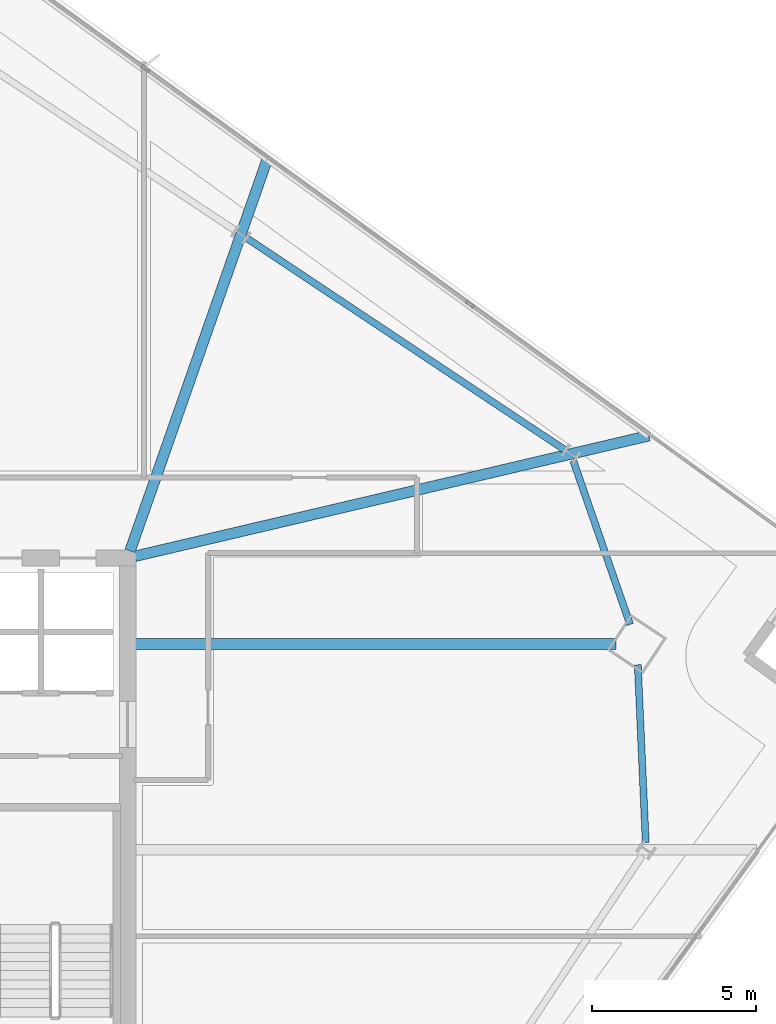
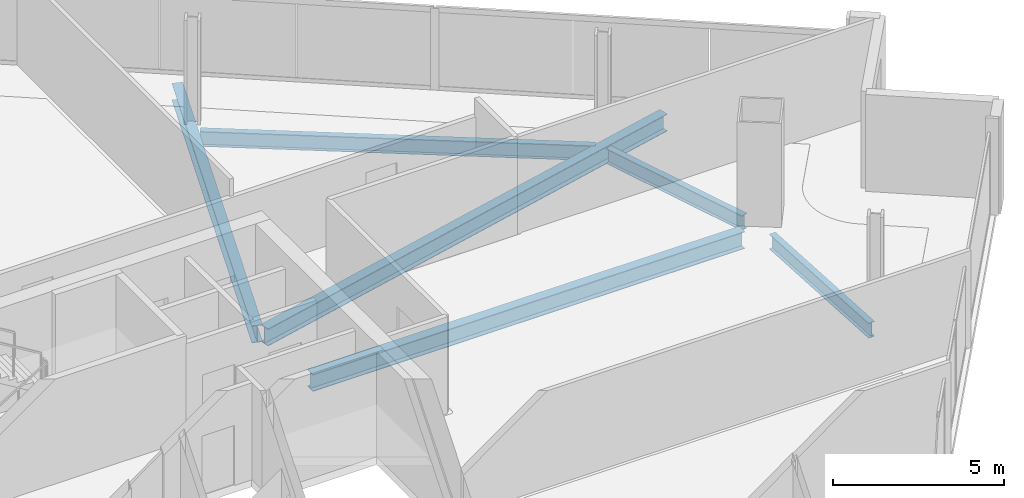
# One storey, part 16 of 29: 6 beams.
"""IFC4 building model written with IfcOpenShell, lengths in metres."""

from ifc_helpers import new_model, si_unit, direction, frame, origin, origin_2d, place, context, subcontext, project, spatial, i_section, extrude, material, material_profile, profile_set, type_object, element, save


model = new_model("IFC4")

# Units and contexts
model_context = context("Model", 3, precision=1e-05, world=origin(), true_north=direction((0.0, 1.0)))
body_context = subcontext(model_context, "Body", "Model", "MODEL_VIEW")
ifc_project = project(units=[si_unit("LENGTHUNIT", "METRE"), si_unit("AREAUNIT", "SQUARE_METRE"), si_unit("VOLUMEUNIT", "CUBIC_METRE"), si_unit("PLANEANGLEUNIT", "RADIAN"), si_unit("MASSUNIT", "GRAM", prefix="KILO")], contexts=[model_context])

# Site, building, storey
site_placement = place(None, origin())
site = spatial("IfcSite", under=ifc_project, at=site_placement, CompositionType="ELEMENT")
building_placement = place(site_placement, origin())
building = spatial("IfcBuilding", under=site, at=building_placement, Name="Haldenkirk Collegiate Tower", CompositionType="ELEMENT")
storey_placement = place(building_placement, frame((0.0, 0.0, 209.699951171875)))
storey = spatial("IfcBuildingStorey", under=building, at=storey_placement, Name="L52", CompositionType="ELEMENT", Elevation=209.699951171875)

# Beams
ifc_material = material(Name="Steel ASTM A992 Grade 50", Category="steel")
ifc_material_profile_1 = material_profile(ifc_material, i_section(OverallWidth=0.324951171875, OverallDepth=0.615966796875, WebThickness=0.013916015625, FlangeThickness=0.021484375, at=origin_2d()), Name="W24X117")
ifc_profile_set_1 = profile_set([ifc_material_profile_1], Name="Steel ASTM A992 Grade 50")
beam_type_1 = type_object("IfcBeamType", Name="BM-GIRDER-W24X117", PredefinedType="BEAM", material=ifc_profile_set_1)
beam_1_placement = place(storey_placement, frame((59.856201171875, 31.3837890625, -0.587890625), z_axis=(-1.0, 0.0, 0.0), x_axis=(0.0, -1.0, 0.0)))
element("IfcBeam", 1, at=beam_1_placement, inside=storey, type_object=beam_type_1, Name="L52 primary floor girder 02", PredefinedType="BEAM", context=body_context, shape_type="SweptSolid", body=[
    extrude(i_section(OverallWidth=0.324951171875, OverallDepth=0.615966796875, WebThickness=0.013916015625, FlangeThickness=0.021484375, at=origin_2d()), origin(), (0.0, 0.0, 1.0), 14.626220703125),
])
beam_2_placement = place(storey_placement, frame((60.85498046875, 37.720703125, -0.587890625), z_axis=(-0.973551608981, -0.228467206949, 0.0), x_axis=(0.228467206949, -0.973551608981, 0.0)))
element("IfcBeam", 2, at=beam_2_placement, inside=storey, type_object=beam_type_1, Name="L52 primary floor girder 08", PredefinedType="BEAM", context=body_context, shape_type="SweptSolid", body=[
    extrude(i_section(OverallWidth=0.324951171875, OverallDepth=0.615966796875, WebThickness=0.013916015625, FlangeThickness=0.021484375, at=origin_2d()), origin(), (0.0, 0.0, 1.0), 16.0556640625),
])
beam_3_placement = place(storey_placement, frame((49.2509765625, 46.135986328125, -0.587890625), z_axis=(-0.3305915221, -0.943773937718, 0.0), x_axis=(0.943773937718, -0.3305915221, 0.0)))
element("IfcBeam", 3, at=beam_3_placement, inside=storey, type_object=beam_type_1, Name="L52 primary floor girder 09", PredefinedType="BEAM", context=body_context, shape_type="SweptSolid", body=[
    extrude(i_section(OverallWidth=0.324951171875, OverallDepth=0.615966796875, WebThickness=0.013916015625, FlangeThickness=0.021484375, at=origin_2d()), origin(), (0.0, 0.0, 1.0), 12.62890625),
])
ifc_material_profile_2 = material_profile(ifc_material, i_section(OverallWidth=0.2099609375, OverallDepth=0.537109375, WebThickness=0.010986328125, FlangeThickness=0.017333984375, at=origin_2d()), Name="W21X68")
ifc_profile_set_2 = profile_set([ifc_material_profile_2], Name="Steel ASTM A992 Grade 50")
beam_type_2 = type_object("IfcBeamType", Name="BM-SPANDREL-W21X68", PredefinedType="SPANDREL", material=ifc_profile_set_2)
beam_4_placement = place(storey_placement, frame((60.756103515625, 25.34326171875, -0.54833984375), z_axis=(-0.044622535616, 0.999003918569, 0.0), x_axis=(-0.999003918569, -0.044622535616, 0.0)))
element("IfcBeam", 4, at=beam_4_placement, inside=storey, type_object=beam_type_2, Name="L52 perimeter spandrel beam 04", PredefinedType="SPANDREL", context=body_context, shape_type="SweptSolid", body=[
    extrude(i_section(OverallWidth=0.2099609375, OverallDepth=0.537109375, WebThickness=0.010986328125, FlangeThickness=0.017333984375, at=origin_2d()), origin(), (0.0, 0.0, 1.0), 5.41650390625),
])
beam_5_placement = place(storey_placement, frame((60.27978515625, 31.97900390625, -0.54833984375), z_axis=(-0.327807295579, 0.944744609387, 0.0), x_axis=(-0.944744609387, -0.327807295579, 0.0)))
element("IfcBeam", 5, at=beam_5_placement, inside=storey, type_object=beam_type_2, Name="L52 perimeter spandrel beam 05", PredefinedType="SPANDREL", context=body_context, shape_type="SweptSolid", body=[
    extrude(i_section(OverallWidth=0.2099609375, OverallDepth=0.537109375, WebThickness=0.010986328125, FlangeThickness=0.017333984375, at=origin_2d()), origin(), (0.0, 0.0, 1.0), 5.270751953125),
])
beam_6_placement = place(storey_placement, frame((58.30029296875, 37.28369140625, -0.54833984375), z_axis=(-0.832431545828, 0.554127892738, 0.0), x_axis=(-0.554127892738, -0.832431545828, 0.0)))
element("IfcBeam", 6, at=beam_6_placement, inside=storey, type_object=beam_type_2, Name="L52 perimeter spandrel beam 06", PredefinedType="SPANDREL", context=body_context, shape_type="SweptSolid", body=[
    extrude(i_section(OverallWidth=0.2099609375, OverallDepth=0.537109375, WebThickness=0.010986328125, FlangeThickness=0.017333984375, at=origin_2d()), origin(), (0.0, 0.0, 1.0), 11.619140625),
])

save(model, "model.ifc")
